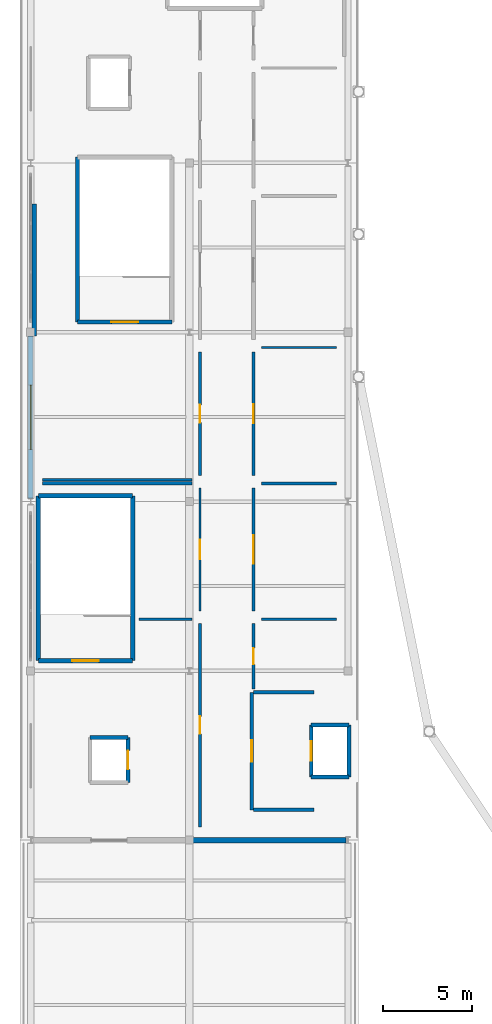
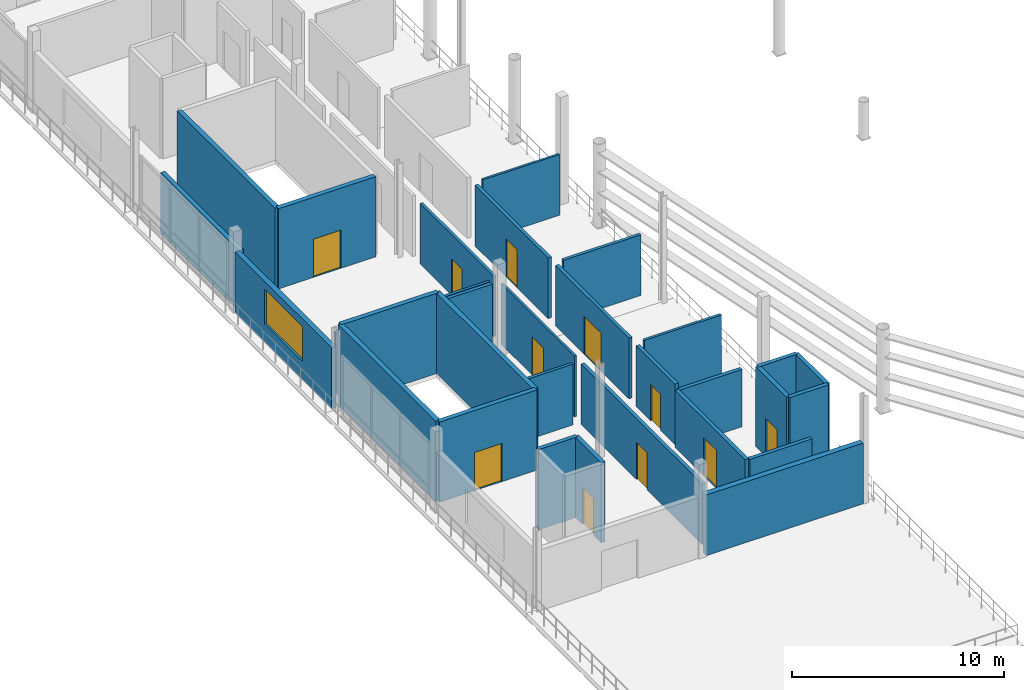
# One storey, part 24 of 29: 30 walls, 11 doors, 1 window, 12 openings.
"""IFC4 building model written with IfcOpenShell, lengths in metres."""

from ifc_helpers import new_model, si_unit, direction, frame, frame_2d, origin, place, context, subcontext, project, spatial, rectangle, extrude, material, layer, layer_set, type_object, element, fill, save


model = new_model("IFC4")

# Units and contexts
model_context = context("Model", 3, precision=1e-05, world=origin(), true_north=direction((0.0, 1.0)))
body_context = subcontext(model_context, "Body", "Model", "MODEL_VIEW")
ifc_project = project(units=[si_unit("LENGTHUNIT", "METRE"), si_unit("AREAUNIT", "SQUARE_METRE"), si_unit("VOLUMEUNIT", "CUBIC_METRE"), si_unit("PLANEANGLEUNIT", "RADIAN"), si_unit("MASSUNIT", "GRAM", prefix="KILO")], contexts=[model_context])

# Site, building, storey
site_placement = place(None, origin())
site = spatial("IfcSite", under=ifc_project, at=site_placement, CompositionType="ELEMENT")
building_placement = place(site_placement, origin())
building = spatial("IfcBuilding", under=site, at=building_placement, Name="Candeia Ridge Stadium", CompositionType="ELEMENT")
storey_placement = place(building_placement, frame((0.0, 0.0, 27.0)))
storey = spatial("IfcBuildingStorey", under=building, at=storey_placement, Name="L05", CompositionType="ELEMENT", Elevation=27.0)

# Wall
ifc_material_1 = material(Name="Gypsum Metal-Stud Partition", Category="gypsum")
ifc_layer_1 = layer(ifc_material_1, 0.14501953125, Name="Gypsum Metal-Stud Partition", Category="gypsum")
ifc_layer_set_1 = layer_set([ifc_layer_1], Name="Gypsum Metal-Stud Partition")
wall_type_1 = type_object("IfcWallType", Name="Athlete Recovery Partition 145", PredefinedType="PARTITIONING", material=ifc_layer_set_1)
wall_1_placement = place(storey_placement, frame((13.550048828125, 57.39990234375, 0.0), z_axis=(0.0, 0.0, 1.0), x_axis=(1.0, 0.0, 0.0)))
element("IfcWall", 1, at=wall_1_placement, inside=storey, type_object=wall_type_1, Name="Demising partition PT-L05-0679", PredefinedType="PARTITIONING", context=body_context, shape_type="SweptSolid", body=[
    extrude(rectangle(XDim=4.199951171875, YDim=0.14501953125, at=frame_2d((2.10009765625, 0.0))), origin(), (0.0, 0.0, 1.0), 3.5),
])

# Wall, opening, door
wall_2_placement = place(storey_placement, frame((10.10009765625, 72.387939453125, 0.0), z_axis=(0.0, 0.0, 1.0), x_axis=(0.0, -1.0, 0.0)))
wall_2 = element("IfcWall", 2, at=wall_2_placement, inside=storey, type_object=wall_type_1, Name="Interior partition PT-L05-0684", PredefinedType="PARTITIONING", context=body_context, shape_type="SweptSolid", body=[
    extrude(rectangle(XDim=6.9189453125, YDim=0.14501953125, at=frame_2d((3.45947265625, 0.0))), origin(), (0.0, 0.0, 1.0), 3.5),
])
opening_1_placement = place(wall_2_placement, frame((2.95947265625, 0.0, 0.0)))
opening_1 = element("IfcOpeningElement", 3, at=opening_1_placement, cuts=wall_2, Name="Opening ID06", PredefinedType="OPENING", context=body_context, shape_type="SweptSolid", body=[
    extrude(rectangle(XDim=1.0, YDim=2.10009765625, at=frame_2d((0.5, 1.050048828125))), frame((0.0, 0.08251953125, 0.0), z_axis=(0.0, -1.0, 0.0), x_axis=(1.0, 0.0, 0.0)), (0.0, 0.0, 1.0), 0.1650390625),
])
ifc_material_2 = material(Name="Moisture-Resistant Laminate", Category="wood")
door_type_1 = type_object("IfcDoorType", Name="Accessible Sanitary Door 1000x2100", OperationType="NOTDEFINED", PredefinedType="DOOR", material=ifc_material_2)
door_1_placement = place(opening_1_placement, frame((1.0, 0.0, 0.0), z_axis=(0.0, 0.0, 1.0), x_axis=(-1.0, 0.0, 0.0)))
door_1 = element("IfcDoor", 4, at=door_1_placement, inside=storey, type_object=door_type_1, Name="Interior room door D-L05-0351", OperationType="SINGLE_SWING_RIGHT", OverallHeight=2.10009765625, OverallWidth=1.0, PredefinedType="DOOR", context=body_context, shape_type="SweptSolid", body=[
    extrude(rectangle(XDim=1.0, YDim=2.10009765625, at=frame_2d((0.5, 1.050048828125))), frame((0.0, 0.02490234375, 0.0), z_axis=(0.0, -1.0, 0.0), x_axis=(1.0, 0.0, 0.0)), (0.0, 0.0, 1.0), 0.050048828125),
])
fill(opening_1, door_1)

# Walls
ifc_material_3 = material(Name="Gypsum Acoustic Twin-Stud Assembly", Category="gypsum")
ifc_layer_2 = layer(ifc_material_3, 0.159912109375, Name="Gypsum Acoustic Twin-Stud Assembly", Category="gypsum")
ifc_layer_set_2 = layer_set([ifc_layer_2], Name="Gypsum Acoustic Twin-Stud Assembly")
wall_type_2 = type_object("IfcWallType", Name="Club Dining Acoustic Partition 160", PredefinedType="PARTITIONING", material=ifc_layer_set_2)
wall_3_placement = place(storey_placement, frame((6.68994140625, 57.39990234375, 0.0), z_axis=(0.0, 0.0, 1.0), x_axis=(1.0, 0.0, 0.0)))
element("IfcWall", 5, at=wall_3_placement, inside=storey, type_object=wall_type_2, Name="Demising partition PT-L05-0677", PredefinedType="PARTITIONING", context=body_context, shape_type="SweptSolid", body=[
    extrude(rectangle(XDim=2.9599609375, YDim=0.159912109375, at=frame_2d((1.47998046875, 0.0))), origin(), (0.0, 0.0, 1.0), 3.5),
])
ifc_material_4 = material(Name="Concrete Masonry Blockwork C25/30", Category="masonry")
ifc_layer_3 = layer(ifc_material_4, 0.14990234375, Name="Concrete Masonry Blockwork C25/30", Category="masonry")
ifc_layer_set_3 = layer_set([ifc_layer_3], Name="Concrete Masonry Blockwork C25/30")
wall_type_3 = type_object("IfcWallType", Name="Concourse Kiosk Partition 150", PredefinedType="PARTITIONING", material=ifc_layer_set_3)
wall_4_placement = place(storey_placement, frame((9.64990234375, 65.218994140625, 0.0), z_axis=(0.0, 0.0, 1.0), x_axis=(-1.0, 0.0, 0.0)))
element("IfcWall", 6, at=wall_4_placement, inside=storey, type_object=wall_type_3, Name="Demising partition PT-L05-0685", PredefinedType="PARTITIONING", context=body_context, shape_type="SweptSolid", body=[
    extrude(rectangle(XDim=8.39990234375, YDim=0.14990234375, at=frame_2d((4.199951171875, 0.0))), origin(), (0.0, 0.0, 1.0), 3.5),
])
ifc_material_5 = material(Name="Concrete C40/50", Category="concrete")
ifc_layer_4 = layer(ifc_material_5, 0.25, Name="Concrete C40/50", Category="concrete")
ifc_layer_set_4 = layer_set([ifc_layer_4], Name="Concrete C40/50")
wall_type_4 = type_object("IfcWallType", Name="Core Shear Wall Concrete 250", PredefinedType="SHEAR", material=ifc_layer_set_4)
wall_5_placement = place(storey_placement, frame((6.32470703125, 55.075439453125, 0.0), z_axis=(0.0, 0.0, 1.0), x_axis=(0.0, 1.0, 0.0)))
element("IfcWall", 7, at=wall_5_placement, inside=storey, type_object=wall_type_4, Name="Core C05 left shear wall L05", PredefinedType="SHEAR", context=body_context, shape_type="SweptSolid", body=[
    extrude(rectangle(XDim=9.249267578125, YDim=0.25, at=frame_2d((4.62451171875, 0.0))), origin(), (0.0, 0.0, 1.0), 4.6201171875),
])
wall_6_placement = place(storey_placement, frame((6.32470703125, 64.32470703125, 0.0), z_axis=(0.0, 0.0, 1.0), x_axis=(-1.0, 0.0, 0.0)))
element("IfcWall", 8, at=wall_6_placement, inside=storey, type_object=wall_type_4, Name="Core C05 far shear wall L05", PredefinedType="SHEAR", context=body_context, shape_type="SweptSolid", body=[
    extrude(rectangle(XDim=5.29931640625, YDim=0.25, at=frame_2d((2.649658203125, 0.0))), origin(), (0.0, 0.0, 1.0), 4.6201171875),
])
wall_7_placement = place(storey_placement, frame((1.025390625, 64.32470703125, 0.0), z_axis=(0.0, 0.0, 1.0), x_axis=(0.0, -1.0, 0.0)))
element("IfcWall", 9, at=wall_7_placement, inside=storey, type_object=wall_type_4, Name="Core C05 right shear wall L05", PredefinedType="SHEAR", context=body_context, shape_type="SweptSolid", body=[
    extrude(rectangle(XDim=9.249267578125, YDim=0.25, at=frame_2d((4.62451171875, 0.0))), origin(), (0.0, 0.0, 1.0), 4.6201171875),
])

# Wall, opening, door
wall_8_placement = place(storey_placement, frame((1.025390625, 55.075439453125, 0.0), z_axis=(0.0, 0.0, 1.0), x_axis=(1.0, 0.0, 0.0)))
wall_8 = element("IfcWall", 10, at=wall_8_placement, inside=storey, type_object=wall_type_4, Name="Core C05 near shear wall L05", PredefinedType="SHEAR", context=body_context, shape_type="SweptSolid", body=[
    extrude(rectangle(XDim=5.29931640625, YDim=0.25, at=frame_2d((2.649658203125, 0.0))), origin(), (0.0, 0.0, 1.0), 4.6201171875),
])
opening_2_placement = place(wall_8_placement, frame((1.899658203125, 0.0, 0.0)))
opening_2 = element("IfcOpeningElement", 11, at=opening_2_placement, cuts=wall_8, Name="Opening FD01", PredefinedType="OPENING", context=body_context, shape_type="SweptSolid", body=[
    extrude(rectangle(XDim=1.5, YDim=2.199951171875, at=frame_2d((0.75, 1.10009765625))), frame((0.0, 0.135009765625, 0.0), z_axis=(0.0, -1.0, 0.0), x_axis=(1.0, 0.0, 0.0)), (0.0, 0.0, 1.0), 0.27001953125),
])
ifc_material_6 = material(Name="Galvanized Fire-Rated Steel", Category="steel")
door_type_2 = type_object("IfcDoorType", Name="Exit Stair Core Fire Door 1500x2200", OperationType="NOTDEFINED", PredefinedType="DOOR", material=ifc_material_6)
door_2_placement = place(opening_2_placement, origin())
door_2 = element("IfcDoor", 12, at=door_2_placement, inside=storey, type_object=door_type_2, Name="Exit stair fire door SD-ST05-L05", OperationType="DOUBLE_DOOR_SINGLE_SWING", OverallHeight=2.199951171875, OverallWidth=1.5, PredefinedType="DOOR", context=body_context, shape_type="SweptSolid", body=[
    extrude(rectangle(XDim=1.5, YDim=2.199951171875, at=frame_2d((0.75, 1.10009765625))), frame((0.0, 0.02490234375, 0.0), z_axis=(0.0, -1.0, 0.0), x_axis=(1.0, 0.0, 0.0)), (0.0, 0.0, 1.0), 0.050048828125),
])
fill(opening_2, door_2)

# Wall
wall_9_placement = place(storey_placement, frame((3.225341796875, 83.32470703125, 0.0), z_axis=(0.0, 0.0, 1.0), x_axis=(0.0, -1.0, 0.0)))
element("IfcWall", 13, at=wall_9_placement, inside=storey, type_object=wall_type_4, Name="Core C07 right shear wall L05", PredefinedType="SHEAR", context=body_context, shape_type="SweptSolid", body=[
    extrude(rectangle(XDim=9.249267578125, YDim=0.25, at=frame_2d((4.62451171875, 0.0))), origin(), (0.0, 0.0, 1.0), 4.6201171875),
])

# Wall, opening, door
wall_10_placement = place(storey_placement, frame((3.225341796875, 74.075439453125, 0.0), z_axis=(0.0, 0.0, 1.0), x_axis=(1.0, 0.0, 0.0)))
wall_10 = element("IfcWall", 14, at=wall_10_placement, inside=storey, type_object=wall_type_4, Name="Core C07 near shear wall L05", PredefinedType="SHEAR", context=body_context, shape_type="SweptSolid", body=[
    extrude(rectangle(XDim=5.29931640625, YDim=0.25, at=frame_2d((2.649658203125, 0.0))), origin(), (0.0, 0.0, 1.0), 4.6201171875),
])
opening_3_placement = place(wall_10_placement, frame((1.899658203125, 0.0, 0.0)))
opening_3 = element("IfcOpeningElement", 15, at=opening_3_placement, cuts=wall_10, Name="Opening FD01", PredefinedType="OPENING", context=body_context, shape_type="SweptSolid", body=[
    extrude(rectangle(XDim=1.5, YDim=2.199951171875, at=frame_2d((0.75, 1.10009765625))), frame((0.0, 0.135009765625, 0.0), z_axis=(0.0, -1.0, 0.0), x_axis=(1.0, 0.0, 0.0)), (0.0, 0.0, 1.0), 0.27001953125),
])
door_3_placement = place(opening_3_placement, origin())
door_3 = element("IfcDoor", 16, at=door_3_placement, inside=storey, type_object=door_type_2, Name="Exit stair fire door SD-ST07-L05", OperationType="DOUBLE_DOOR_SINGLE_SWING", OverallHeight=2.199951171875, OverallWidth=1.5, PredefinedType="DOOR", context=body_context, shape_type="SweptSolid", body=[
    extrude(rectangle(XDim=1.5, YDim=2.199951171875, at=frame_2d((0.75, 1.10009765625))), frame((0.0, 0.02490234375, 0.0), z_axis=(0.0, -1.0, 0.0), x_axis=(1.0, 0.0, 0.0)), (0.0, 0.0, 1.0), 0.050048828125),
])
fill(opening_3, door_3)

ifc_layer_5 = layer(ifc_material_3, 0.179931640625, Name="Gypsum Acoustic Twin-Stud Assembly", Category="gypsum")
ifc_layer_set_5 = layer_set([ifc_layer_5], Name="Gypsum Acoustic Twin-Stud Assembly")
wall_type_5 = type_object("IfcWallType", Name="Corridor Fire Partition 180", PredefinedType="PARTITIONING", material=ifc_layer_set_5)
wall_11_placement = place(storey_placement, frame((13.10009765625, 65.468994140625, 0.0), z_axis=(0.0, 0.0, 1.0), x_axis=(0.0, 1.0, 0.0)))
wall_11 = element("IfcWall", 17, at=wall_11_placement, inside=storey, type_object=wall_type_5, Name="Interior partition PT-L05-0686", PredefinedType="PARTITIONING", context=body_context, shape_type="SweptSolid", body=[
    extrude(rectangle(XDim=6.9189453125, YDim=0.179931640625, at=frame_2d((3.45947265625, 0.0))), origin(), (0.0, 0.0, 1.0), 3.5),
])
opening_4_placement = place(wall_11_placement, frame((2.9345703125, 0.0, 0.0)))
opening_4 = element("IfcOpeningElement", 18, at=opening_4_placement, cuts=wall_11, Name="Opening ID01", PredefinedType="OPENING", context=body_context, shape_type="SweptSolid", body=[
    extrude(rectangle(XDim=1.050048828125, YDim=2.199951171875, at=frame_2d((0.52490234375, 1.10009765625))), frame((0.0, 0.099853515625, 0.0), z_axis=(0.0, -1.0, 0.0), x_axis=(1.0, 0.0, 0.0)), (0.0, 0.0, 1.0), 0.199951171875),
])
ifc_material_7 = material(Name="Western Red Cedar Acoustic Veneer", Category="wood")
door_type_3 = type_object("IfcDoorType", Name="Hospitality Suite Entrance Door 1050x2200", OperationType="NOTDEFINED", PredefinedType="DOOR", material=ifc_material_7)
door_4_placement = place(opening_4_placement, origin())
door_4 = element("IfcDoor", 19, at=door_4_placement, inside=storey, type_object=door_type_3, Name="Interior room door D-L05-0352", OperationType="SINGLE_SWING_LEFT", OverallHeight=2.199951171875, OverallWidth=1.050048828125, PredefinedType="DOOR", context=body_context, shape_type="SweptSolid", body=[
    extrude(rectangle(XDim=1.050048828125, YDim=2.199951171875, at=frame_2d((0.52490234375, 1.10009765625))), frame((0.0, 0.02490234375, 0.0), z_axis=(0.0, -1.0, 0.0), x_axis=(1.0, 0.0, 0.0)), (0.0, 0.0, 1.0), 0.050048828125),
])
fill(opening_4, door_4)

# Wall
ifc_material_8 = material(Name="Moisture-Resistant Masonry & Tile", Category="masonry")
ifc_layer_6 = layer(ifc_material_8, 0.22998046875, Name="Moisture-Resistant Masonry & Tile", Category="masonry")
ifc_layer_set_6 = layer_set([ifc_layer_6], Name="Moisture-Resistant Masonry & Tile")
wall_type_6 = type_object("IfcWallType", Name="Dressing Suite Wet-Wall Chase 230", PredefinedType="PLUMBINGWALL", material=ifc_layer_set_6)
wall_12_placement = place(storey_placement, frame((0.800048828125, 73.2880859375, 0.0), z_axis=(0.0, 0.0, 1.0), x_axis=(0.0, 1.0, 0.0)))
element("IfcWall", 20, at=wall_12_placement, inside=storey, type_object=wall_type_6, Name="Demising partition PT-L05-0689", PredefinedType="PLUMBINGWALL", context=body_context, shape_type="SweptSolid", body=[
    extrude(rectangle(XDim=7.414794921875, YDim=0.22998046875, at=frame_2d((3.70751953125, 0.0))), origin(), (0.0, 0.0, 1.0), 3.5),
])

# Wall, opening, window
ifc_material_9 = material(Name="Concrete C35/45", Category="concrete")
ifc_layer_7 = layer(ifc_material_9, 0.27490234375, Name="Concrete C35/45", Category="concrete")
ifc_layer_set_7 = layer_set([ifc_layer_7], Name="Concrete C35/45")
wall_type_7 = type_object("IfcWallType", Name="Exterior Gondola Insulated Wall 275", PredefinedType="STANDARD", material=ifc_layer_set_7)
wall_13_placement = place(storey_placement, frame((0.60009765625, 64.16943359375, 0.0), z_axis=(0.0, 0.0, 1.0), x_axis=(0.0, 1.0, 0.0)))
wall_13 = element("IfcWall", 21, at=wall_13_placement, inside=storey, type_object=wall_type_7, Name="Exterior facade wall EW-L05-0111", PredefinedType="STANDARD", context=body_context, shape_type="SweptSolid", body=[
    extrude(rectangle(XDim=9.11767578125, YDim=0.27490234375, at=frame_2d((4.558837890625, 0.0))), origin(), (0.0, 0.0, 1.0), 3.5),
])
opening_5_placement = place(wall_13_placement, frame((2.7587890625, 0.0, 1.050048828125)))
opening_5 = element("IfcOpeningElement", 22, at=opening_5_placement, cuts=wall_13, Name="Opening W10", PredefinedType="OPENING", context=body_context, shape_type="SweptSolid", body=[
    extrude(rectangle(XDim=3.60009765625, YDim=2.0, at=frame_2d((1.800048828125, 1.0))), frame((0.0, 0.1474609375, 0.0), z_axis=(0.0, -1.0, 0.0), x_axis=(1.0, 0.0, 0.0)), (0.0, 0.0, 1.0), 0.294921875),
])
ifc_material_10 = material(Name="Tempered Solar-Control Double Glazing", Category="glass")
window_type = type_object("IfcWindowType", Name="Press Gondola Viewing Window 3600x2000", PartitioningType="SINGLE_PANEL", PredefinedType="WINDOW", material=ifc_material_10)
window_placement = place(opening_5_placement, origin())
window = element("IfcWindow", 23, at=window_placement, inside=storey, type_object=window_type, Name="Exterior window WIN-L05-062", OverallHeight=2.0, OverallWidth=3.60009765625, PartitioningType="SINGLE_PANEL", PredefinedType="WINDOW", context=body_context, shape_type="SweptSolid", body=[
    extrude(rectangle(XDim=3.60009765625, YDim=2.0, at=frame_2d((1.800048828125, 1.0))), frame((0.0, 0.030029296875, 0.0), z_axis=(0.0, -1.0, 0.0), x_axis=(1.0, 0.0, 0.0)), (0.0, 0.0, 1.0), 0.06005859375),
])
fill(opening_5, window)

# Walls
ifc_layer_8 = layer(ifc_material_9, 0.300048828125, Name="Concrete C35/45", Category="concrete")
ifc_layer_set_8 = layer_set([ifc_layer_8], Name="Concrete C35/45")
wall_type_8 = type_object("IfcWallType", Name="Exterior Pavilion Rainscreen Wall 300", PredefinedType="SOLIDWALL", material=ifc_layer_set_8)
wall_14_placement = place(storey_placement, frame((9.712890625, 45.0, 0.0), z_axis=(0.0, 0.0, 1.0), x_axis=(1.0, 0.0, 0.0)))
element("IfcWall", 24, at=wall_14_placement, inside=storey, type_object=wall_type_8, Name="Exterior facade wall EW-L05-0116", PredefinedType="SOLIDWALL", context=body_context, shape_type="SweptSolid", body=[
    extrude(rectangle(XDim=8.570556640625, YDim=0.300048828125, at=frame_2d((4.28515625, 0.0))), origin(), (0.0, 0.0, 1.0), 3.5),
])
ifc_layer_9 = layer(ifc_material_9, 0.199951171875, Name="Concrete C35/45", Category="concrete")
ifc_layer_set_9 = layer_set([ifc_layer_9], Name="Concrete C35/45")
wall_type_9 = type_object("IfcWallType", Name="Firefighting Lobby Rated Wall 200", PredefinedType="SOLIDWALL", material=ifc_layer_set_9)
for number, where, z_axis, x_axis, name in (
    (25, (13.10009765625, 46.699951171875, 0.0), (0.0, 0.0, 1.0), (1.0, 0.0, 0.0), "Firefighting lift lobby FF1 rated wall L05 south"),
    (26, (16.5, 53.300048828125, 0.0), (0.0, 0.0, 1.0), (-1.0, 0.0, 0.0), "Firefighting lift lobby FF1 rated wall L05 north"),
):
    element("IfcWall", number, at=place(storey_placement, frame(where, z_axis=z_axis, x_axis=x_axis)), inside=storey, type_object=wall_type_9, Name=name, PredefinedType="SOLIDWALL", context=body_context, shape_type="SweptSolid", body=[
        extrude(rectangle(XDim=3.39990234375, YDim=0.199951171875, at=frame_2d((1.699951171875, 0.0))), origin(), (0.0, 0.0, 1.0), 3.300048828125),
    ])

# Wall, opening, door
wall_15_placement = place(storey_placement, frame((13.0, 53.300048828125, 0.0), z_axis=(0.0, 0.0, 1.0), x_axis=(0.0, -1.0, 0.0)))
wall_15 = element("IfcWall", 27, at=wall_15_placement, inside=storey, type_object=wall_type_9, Name="Firefighting lift lobby FF1 rated wall L05 entry", PredefinedType="SOLIDWALL", context=body_context, shape_type="SweptSolid", body=[
    extrude(rectangle(XDim=6.60009765625, YDim=0.199951171875, at=frame_2d((3.300048828125, 0.0))), origin(), (0.0, 0.0, 1.0), 3.300048828125),
])
opening_6_placement = place(wall_15_placement, frame((2.699951171875, 0.0, 0.0)))
opening_6 = element("IfcOpeningElement", 28, at=opening_6_placement, cuts=wall_15, Name="Opening FD02", PredefinedType="OPENING", context=body_context, shape_type="SweptSolid", body=[
    extrude(rectangle(XDim=1.199951171875, YDim=2.199951171875, at=frame_2d((0.60009765625, 1.10009765625))), frame((0.0, 0.10986328125, 0.0), z_axis=(0.0, -1.0, 0.0), x_axis=(1.0, 0.0, 0.0)), (0.0, 0.0, 1.0), 0.219970703125),
])
door_type_4 = type_object("IfcDoorType", Name="Firefighting Lobby Fire Door 1200x2200", OperationType="NOTDEFINED", PredefinedType="DOOR", material=ifc_material_6)
door_5_placement = place(opening_6_placement, origin())
door_5 = element("IfcDoor", 29, at=door_5_placement, inside=storey, type_object=door_type_4, Name="Firefighting lobby fire door FFD-FF1-L05", OperationType="SINGLE_SWING_RIGHT", OverallHeight=2.199951171875, OverallWidth=1.199951171875, PredefinedType="DOOR", context=body_context, shape_type="SweptSolid", body=[
    extrude(rectangle(XDim=1.199951171875, YDim=2.199951171875, at=frame_2d((0.60009765625, 1.10009765625))), frame((0.0, 0.02490234375, 0.0), z_axis=(0.0, -1.0, 0.0), x_axis=(1.0, 0.0, 0.0)), (0.0, 0.0, 1.0), 0.050048828125),
])
fill(opening_6, door_5)

# Walls
ifc_layer_10 = layer(ifc_material_3, 0.1650390625, Name="Gypsum Acoustic Twin-Stud Assembly", Category="gypsum")
ifc_layer_set_10 = layer_set([ifc_layer_10], Name="Gypsum Acoustic Twin-Stud Assembly")
wall_type_10 = type_object("IfcWallType", Name="Hospitality Suite Acoustic Wall 165", PredefinedType="PARTITIONING", material=ifc_layer_set_10)
wall_16_placement = place(storey_placement, frame((13.550048828125, 65.01904296875, 0.0), z_axis=(0.0, 0.0, 1.0), x_axis=(1.0, 0.0, 0.0)))
element("IfcWall", 30, at=wall_16_placement, inside=storey, type_object=wall_type_10, Name="Demising partition PT-L05-0683", PredefinedType="PARTITIONING", context=body_context, shape_type="SweptSolid", body=[
    extrude(rectangle(XDim=4.199951171875, YDim=0.1650390625, at=frame_2d((2.10009765625, 0.0))), origin(), (0.0, 0.0, 1.0), 3.5),
])
ifc_layer_11 = layer(ifc_material_5, 0.219970703125, Name="Concrete C40/50", Category="concrete")
ifc_layer_set_11 = layer_set([ifc_layer_11], Name="Concrete C40/50")
wall_type_11 = type_object("IfcWallType", Name="Lift & Riser Shaft Wall 220", PredefinedType="SHEAR", material=ifc_layer_set_11)
wall_17_placement = place(storey_placement, frame((16.340087890625, 48.5400390625, 0.0), z_axis=(0.0, 0.0, 1.0), x_axis=(1.0, 0.0, 0.0)))
element("IfcWall", 31, at=wall_17_placement, inside=storey, type_object=wall_type_11, Name="Lift FF1 shaft wall L05 south", PredefinedType="SHEAR", context=body_context, shape_type="SweptSolid", body=[
    extrude(rectangle(XDim=2.119873046875, YDim=0.219970703125, at=frame_2d((1.06005859375, 0.0))), origin(), (0.0, 0.0, 1.0), 4.6201171875),
])
wall_18_placement = place(storey_placement, frame((18.4599609375, 48.5400390625, 0.0), z_axis=(0.0, 0.0, 1.0), x_axis=(0.0, 1.0, 0.0)))
element("IfcWall", 32, at=wall_18_placement, inside=storey, type_object=wall_type_11, Name="Lift FF1 shaft wall L05 east", PredefinedType="SHEAR", context=body_context, shape_type="SweptSolid", body=[
    extrude(rectangle(XDim=2.919921875, YDim=0.219970703125, at=frame_2d((1.4599609375, 0.0))), origin(), (0.0, 0.0, 1.0), 4.6201171875),
])
wall_19_placement = place(storey_placement, frame((18.4599609375, 51.4599609375, 0.0), z_axis=(0.0, 0.0, 1.0), x_axis=(-1.0, 0.0, 0.0)))
element("IfcWall", 33, at=wall_19_placement, inside=storey, type_object=wall_type_11, Name="Lift FF1 shaft wall L05 north", PredefinedType="SHEAR", context=body_context, shape_type="SweptSolid", body=[
    extrude(rectangle(XDim=2.119873046875, YDim=0.219970703125, at=frame_2d((1.06005859375, 0.0))), origin(), (0.0, 0.0, 1.0), 4.6201171875),
])

# Wall, opening, door
wall_20_placement = place(storey_placement, frame((16.340087890625, 51.4599609375, 0.0), z_axis=(0.0, 0.0, 1.0), x_axis=(0.0, -1.0, 0.0)))
wall_20 = element("IfcWall", 34, at=wall_20_placement, inside=storey, type_object=wall_type_11, Name="Lift FF1 shaft wall L05 west", PredefinedType="SHEAR", context=body_context, shape_type="SweptSolid", body=[
    extrude(rectangle(XDim=2.919921875, YDim=0.219970703125, at=frame_2d((1.4599609375, 0.0))), origin(), (0.0, 0.0, 1.0), 4.6201171875),
])
opening_7_placement = place(wall_20_placement, frame((0.909912109375, 0.0, 0.0)))
opening_7 = element("IfcOpeningElement", 35, at=opening_7_placement, cuts=wall_20, Name="Opening LD01", PredefinedType="OPENING", context=body_context, shape_type="SweptSolid", body=[
    extrude(rectangle(XDim=1.10009765625, YDim=2.199951171875, at=frame_2d((0.550048828125, 1.10009765625))), frame((0.0, 0.119873046875, 0.0), z_axis=(0.0, -1.0, 0.0), x_axis=(1.0, 0.0, 0.0)), (0.0, 0.0, 1.0), 0.239990234375),
])
ifc_material_11 = material(Name="Brushed Stainless Steel", Category="steel")
door_type_5 = type_object("IfcDoorType", Name="Firefighting Lift Landing Door 1100x2200", OperationType="NOTDEFINED", PredefinedType="DOOR", material=ifc_material_11)
door_6_placement = place(opening_7_placement, origin())
door_6 = element("IfcDoor", 36, at=door_6_placement, inside=storey, type_object=door_type_5, Name="Lift landing sliding door LD-FF1-L05", OperationType="DOUBLE_DOOR_SLIDING", OverallHeight=2.199951171875, OverallWidth=1.10009765625, PredefinedType="DOOR", context=body_context, shape_type="SweptSolid", body=[
    extrude(rectangle(XDim=1.10009765625, YDim=2.199951171875, at=frame_2d((0.550048828125, 1.10009765625))), frame((0.0, 0.02490234375, 0.0), z_axis=(0.0, -1.0, 0.0), x_axis=(1.0, 0.0, 0.0)), (0.0, 0.0, 1.0), 0.050048828125),
])
fill(opening_7, door_6)

wall_21_placement = place(storey_placement, frame((6.06005859375, 48.239990234375, 0.0), z_axis=(0.0, 0.0, 1.0), x_axis=(0.0, 1.0, 0.0)))
wall_21 = element("IfcWall", 37, at=wall_21_placement, inside=storey, type_object=wall_type_11, Name="Lift VL1 shaft wall L05 east", PredefinedType="SHEAR", context=body_context, shape_type="SweptSolid", body=[
    extrude(rectangle(XDim=2.52001953125, YDim=0.219970703125, at=frame_2d((1.260009765625, 0.0))), origin(), (0.0, 0.0, 1.0), 4.6201171875),
])
opening_8_placement = place(wall_21_placement, frame((0.735107421875, 0.0, 0.0)))
opening_8 = element("IfcOpeningElement", 38, at=opening_8_placement, cuts=wall_21, Name="Opening LD02", PredefinedType="OPENING", context=body_context, shape_type="SweptSolid", body=[
    extrude(rectangle(XDim=1.050048828125, YDim=2.14990234375, at=frame_2d((0.52490234375, 1.074951171875))), frame((0.0, 0.119873046875, 0.0), z_axis=(0.0, -1.0, 0.0), x_axis=(1.0, 0.0, 0.0)), (0.0, 0.0, 1.0), 0.239990234375),
])
door_type_6 = type_object("IfcDoorType", Name="Passenger Lift Landing Door 1050x2150", OperationType="NOTDEFINED", PredefinedType="DOOR", material=ifc_material_11)
door_7_placement = place(opening_8_placement, origin())
door_7 = element("IfcDoor", 39, at=door_7_placement, inside=storey, type_object=door_type_6, Name="Lift landing sliding door LD-VL1-L05", OperationType="DOUBLE_DOOR_SLIDING", OverallHeight=2.14990234375, OverallWidth=1.050048828125, PredefinedType="DOOR", context=body_context, shape_type="SweptSolid", body=[
    extrude(rectangle(XDim=1.050048828125, YDim=2.14990234375, at=frame_2d((0.52490234375, 1.074951171875))), frame((0.0, 0.02490234375, 0.0), z_axis=(0.0, -1.0, 0.0), x_axis=(1.0, 0.0, 0.0)), (0.0, 0.0, 1.0), 0.050048828125),
])
fill(opening_8, door_7)

# Wall
wall_22_placement = place(storey_placement, frame((6.06005859375, 50.760009765625, 0.0), z_axis=(0.0, 0.0, 1.0), x_axis=(-1.0, 0.0, 0.0)))
element("IfcWall", 40, at=wall_22_placement, inside=storey, type_object=wall_type_11, Name="Lift VL1 shaft wall L05 north", PredefinedType="SHEAR", context=body_context, shape_type="SweptSolid", body=[
    extrude(rectangle(XDim=2.1201171875, YDim=0.219970703125, at=frame_2d((1.06005859375, 0.0))), origin(), (0.0, 0.0, 1.0), 4.6201171875),
])

# Wall, opening, door
ifc_material_12 = material(Name="Gypsum Acoustic Triple-Board Wall", Category="gypsum")
ifc_layer_12 = layer(ifc_material_12, 0.18994140625, Name="Gypsum Acoustic Triple-Board Wall", Category="gypsum")
ifc_layer_set_12 = layer_set([ifc_layer_12], Name="Gypsum Acoustic Triple-Board Wall")
wall_type_12 = type_object("IfcWallType", Name="Media & Commentary Studio Wall 190", PredefinedType="PARTITIONING", material=ifc_layer_set_12)
wall_23_placement = place(storey_placement, frame((13.10009765625, 53.489990234375, 0.0), z_axis=(0.0, 0.0, 1.0), x_axis=(0.0, 1.0, 0.0)))
wall_23 = element("IfcWall", 41, at=wall_23_placement, inside=storey, type_object=wall_type_12, Name="Interior partition PT-L05-0678", PredefinedType="PARTITIONING", context=body_context, shape_type="SweptSolid", body=[
    extrude(rectangle(XDim=3.659912109375, YDim=0.18994140625, at=frame_2d((1.830078125, 0.0))), origin(), (0.0, 0.0, 1.0), 3.5),
])
opening_9_placement = place(wall_23_placement, frame((1.3701171875, 0.0, 0.0)))
opening_9 = element("IfcOpeningElement", 42, at=opening_9_placement, cuts=wall_23, Name="Opening ID15", PredefinedType="OPENING", context=body_context, shape_type="SweptSolid", body=[
    extrude(rectangle(XDim=0.919921875, YDim=2.10009765625, at=frame_2d((0.4599609375, 1.050048828125))), frame((0.0, 0.10498046875, 0.0), z_axis=(0.0, -1.0, 0.0), x_axis=(1.0, 0.0, 0.0)), (0.0, 0.0, 1.0), 0.2099609375),
])
ifc_material_13 = material(Name="Powder-Coated Hollow Metal", Category="steel")
door_type_7 = type_object("IfcDoorType", Name="Concourse Store Single Door 920x2100", OperationType="NOTDEFINED", PredefinedType="DOOR", material=ifc_material_13)
door_8_placement = place(opening_9_placement, origin())
door_8 = element("IfcDoor", 43, at=door_8_placement, inside=storey, type_object=door_type_7, Name="Interior room door D-L05-0348", OperationType="SINGLE_SWING_RIGHT", OverallHeight=2.10009765625, OverallWidth=0.919921875, PredefinedType="DOOR", context=body_context, shape_type="SweptSolid", body=[
    extrude(rectangle(XDim=0.919921875, YDim=2.10009765625, at=frame_2d((0.4599609375, 1.050048828125))), frame((0.0, 0.02490234375, 0.0), z_axis=(0.0, -1.0, 0.0), x_axis=(1.0, 0.0, 0.0)), (0.0, 0.0, 1.0), 0.050048828125),
])
fill(opening_9, door_8)

ifc_layer_13 = layer(ifc_material_12, 0.18505859375, Name="Gypsum Acoustic Triple-Board Wall", Category="gypsum")
ifc_layer_set_13 = layer_set([ifc_layer_13], Name="Gypsum Acoustic Triple-Board Wall")
wall_type_13 = type_object("IfcWallType", Name="Media Booth Studio Divider 185", PredefinedType="PARTITIONING", material=ifc_layer_set_13)
wall_24_placement = place(storey_placement, frame((10.10009765625, 57.14990234375, 0.0), z_axis=(0.0, 0.0, 1.0), x_axis=(0.0, -1.0, 0.0)))
wall_24 = element("IfcWall", 44, at=wall_24_placement, inside=storey, type_object=wall_type_13, Name="Interior partition PT-L05-0676", PredefinedType="PARTITIONING", context=body_context, shape_type="SweptSolid", body=[
    extrude(rectangle(XDim=11.39990234375, YDim=0.18505859375, at=frame_2d((5.699951171875, 0.0))), origin(), (0.0, 0.0, 1.0), 3.5),
])
opening_10_placement = place(wall_24_placement, frame((5.2099609375, 0.0, 0.0)))
opening_10 = element("IfcOpeningElement", 45, at=opening_10_placement, cuts=wall_24, Name="Opening ID12", PredefinedType="OPENING", context=body_context, shape_type="SweptSolid", body=[
    extrude(rectangle(XDim=0.97998046875, YDim=2.14990234375, at=frame_2d((0.489990234375, 1.074951171875))), frame((0.0, 0.1025390625, 0.0), z_axis=(0.0, -1.0, 0.0), x_axis=(1.0, 0.0, 0.0)), (0.0, 0.0, 1.0), 0.205078125),
])
ifc_material_14 = material(Name="Acoustic Timber Studio Leaf", Category="wood")
door_type_8 = type_object("IfcDoorType", Name="Commentary Booth Acoustic Door 980x2150", OperationType="NOTDEFINED", PredefinedType="DOOR", material=ifc_material_14)
door_9_placement = place(opening_10_placement, origin())
door_9 = element("IfcDoor", 46, at=door_9_placement, inside=storey, type_object=door_type_8, Name="Interior room door D-L05-0347", OperationType="SINGLE_SWING_LEFT", OverallHeight=2.14990234375, OverallWidth=0.97998046875, PredefinedType="DOOR", context=body_context, shape_type="SweptSolid", body=[
    extrude(rectangle(XDim=0.97998046875, YDim=2.14990234375, at=frame_2d((0.489990234375, 1.074951171875))), frame((0.0, 0.02490234375, 0.0), z_axis=(0.0, -1.0, 0.0), x_axis=(1.0, 0.0, 0.0)), (0.0, 0.0, 1.0), 0.050048828125),
])
fill(opening_10, door_9)

# Wall
wall_25_placement = place(storey_placement, frame((1.25, 65.01904296875, 0.0), z_axis=(0.0, 0.0, 1.0), x_axis=(1.0, 0.0, 0.0)))
element("IfcWall", 47, at=wall_25_placement, inside=storey, type_object=wall_type_13, Name="Demising partition PT-L05-0681", PredefinedType="PARTITIONING", context=body_context, shape_type="SweptSolid", body=[
    extrude(rectangle(XDim=8.39990234375, YDim=0.18505859375, at=frame_2d((4.199951171875, 0.0))), origin(), (0.0, 0.0, 1.0), 3.5),
])

# Wall, opening, door
ifc_layer_14 = layer(ifc_material_3, 0.175048828125, Name="Gypsum Acoustic Twin-Stud Assembly", Category="gypsum")
ifc_layer_set_14 = layer_set([ifc_layer_14], Name="Gypsum Acoustic Twin-Stud Assembly")
wall_type_14 = type_object("IfcWallType", Name="Museum Acoustic Gallery Wall 175", PredefinedType="PARTITIONING", material=ifc_layer_set_14)
wall_26_placement = place(storey_placement, frame((13.10009765625, 57.85009765625, 0.0), z_axis=(0.0, 0.0, 1.0), x_axis=(0.0, 1.0, 0.0)))
wall_26 = element("IfcWall", 48, at=wall_26_placement, inside=storey, type_object=wall_type_14, Name="Interior partition PT-L05-0682", PredefinedType="PARTITIONING", context=body_context, shape_type="SweptSolid", body=[
    extrude(rectangle(XDim=6.9189453125, YDim=0.175048828125, at=frame_2d((3.45947265625, 0.0))), origin(), (0.0, 0.0, 1.0), 3.5),
])
opening_11_placement = place(wall_26_placement, frame((2.659423828125, 0.0, 0.0)))
opening_11 = element("IfcOpeningElement", 49, at=opening_11_placement, cuts=wall_26, Name="Opening ID03", PredefinedType="OPENING", context=body_context, shape_type="SweptSolid", body=[
    extrude(rectangle(XDim=1.60009765625, YDim=2.199951171875, at=frame_2d((0.800048828125, 1.10009765625))), frame((0.0, 0.097412109375, 0.0), z_axis=(0.0, -1.0, 0.0), x_axis=(1.0, 0.0, 0.0)), (0.0, 0.0, 1.0), 0.195068359375),
])
ifc_material_15 = material(Name="Solid Core Hardwood Veneer", Category="wood")
door_type_9 = type_object("IfcDoorType", Name="Athlete Dressing Double Door 1600x2200", OperationType="NOTDEFINED", PredefinedType="DOOR", material=ifc_material_15)
door_10_placement = place(opening_11_placement, origin())
door_10 = element("IfcDoor", 50, at=door_10_placement, inside=storey, type_object=door_type_9, Name="Interior room door D-L05-0350", OperationType="DOUBLE_DOOR_SINGLE_SWING", OverallHeight=2.199951171875, OverallWidth=1.60009765625, PredefinedType="DOOR", context=body_context, shape_type="SweptSolid", body=[
    extrude(rectangle(XDim=1.60009765625, YDim=2.199951171875, at=frame_2d((0.800048828125, 1.10009765625))), frame((0.0, 0.02490234375, 0.0), z_axis=(0.0, -1.0, 0.0), x_axis=(1.0, 0.0, 0.0)), (0.0, 0.0, 1.0), 0.050048828125),
])
fill(opening_11, door_10)

ifc_layer_15 = layer(ifc_material_1, 0.1201171875, Name="Gypsum Metal-Stud Partition", Category="gypsum")
ifc_layer_set_15 = layer_set([ifc_layer_15], Name="Gypsum Metal-Stud Partition")
wall_type_15 = type_object("IfcWallType", Name="Suite Internal Divider 120", PredefinedType="PARTITIONING", material=ifc_layer_set_15)
wall_27_placement = place(storey_placement, frame((10.10009765625, 64.76904296875, 0.0), z_axis=(0.0, 0.0, 1.0), x_axis=(0.0, -1.0, 0.0)))
wall_27 = element("IfcWall", 51, at=wall_27_placement, inside=storey, type_object=wall_type_15, Name="Interior partition PT-L05-0680", PredefinedType="PARTITIONING", context=body_context, shape_type="SweptSolid", body=[
    extrude(rectangle(XDim=6.9189453125, YDim=0.1201171875, at=frame_2d((3.45947265625, 0.0))), origin(), (0.0, 0.0, 1.0), 3.5),
])
opening_12_placement = place(wall_27_placement, frame((2.8994140625, 0.0, 0.0)))
opening_12 = element("IfcOpeningElement", 52, at=opening_12_placement, cuts=wall_27, Name="Opening ID18", PredefinedType="OPENING", context=body_context, shape_type="SweptSolid", body=[
    extrude(rectangle(XDim=1.1201171875, YDim=2.199951171875, at=frame_2d((0.56005859375, 1.10009765625))), frame((0.0, 0.070068359375, 0.0), z_axis=(0.0, -1.0, 0.0), x_axis=(1.0, 0.0, 0.0)), (0.0, 0.0, 1.0), 0.14013671875),
])
door_type_10 = type_object("IfcDoorType", Name="Control Room Security Door 1120x2200", OperationType="NOTDEFINED", PredefinedType="DOOR", material=ifc_material_6)
door_11_placement = place(opening_12_placement, frame((1.1201171875, 0.0, 0.0), z_axis=(0.0, 0.0, 1.0), x_axis=(-1.0, 0.0, 0.0)))
door_11 = element("IfcDoor", 53, at=door_11_placement, inside=storey, type_object=door_type_10, Name="Interior room door D-L05-0349", OperationType="SINGLE_SWING_LEFT", OverallHeight=2.199951171875, OverallWidth=1.1201171875, PredefinedType="DOOR", context=body_context, shape_type="SweptSolid", body=[
    extrude(rectangle(XDim=1.1201171875, YDim=2.199951171875, at=frame_2d((0.56005859375, 1.10009765625))), frame((0.0, 0.02490234375, 0.0), z_axis=(0.0, -1.0, 0.0), x_axis=(1.0, 0.0, 0.0)), (0.0, 0.0, 1.0), 0.050048828125),
])
fill(opening_12, door_11)

# Wall
wall_28_placement = place(storey_placement, frame((13.550048828125, 72.637939453125, 0.0), z_axis=(0.0, 0.0, 1.0), x_axis=(1.0, 0.0, 0.0)))
element("IfcWall", 54, at=wall_28_placement, inside=storey, type_object=wall_type_15, Name="Demising partition PT-L05-0687", PredefinedType="PARTITIONING", context=body_context, shape_type="SweptSolid", body=[
    extrude(rectangle(XDim=4.199951171875, YDim=0.1201171875, at=frame_2d((2.10009765625, 0.0))), origin(), (0.0, 0.0, 1.0), 3.5),
])

save(model, "model.ifc")
